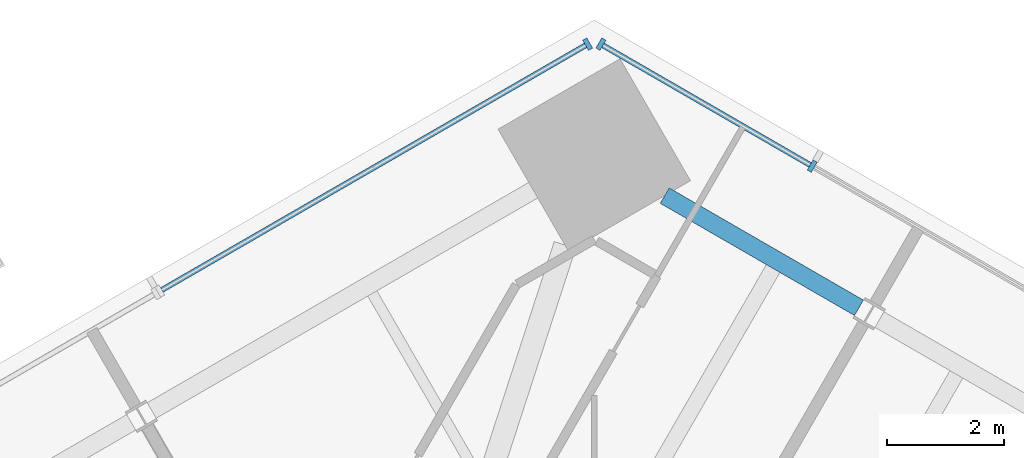
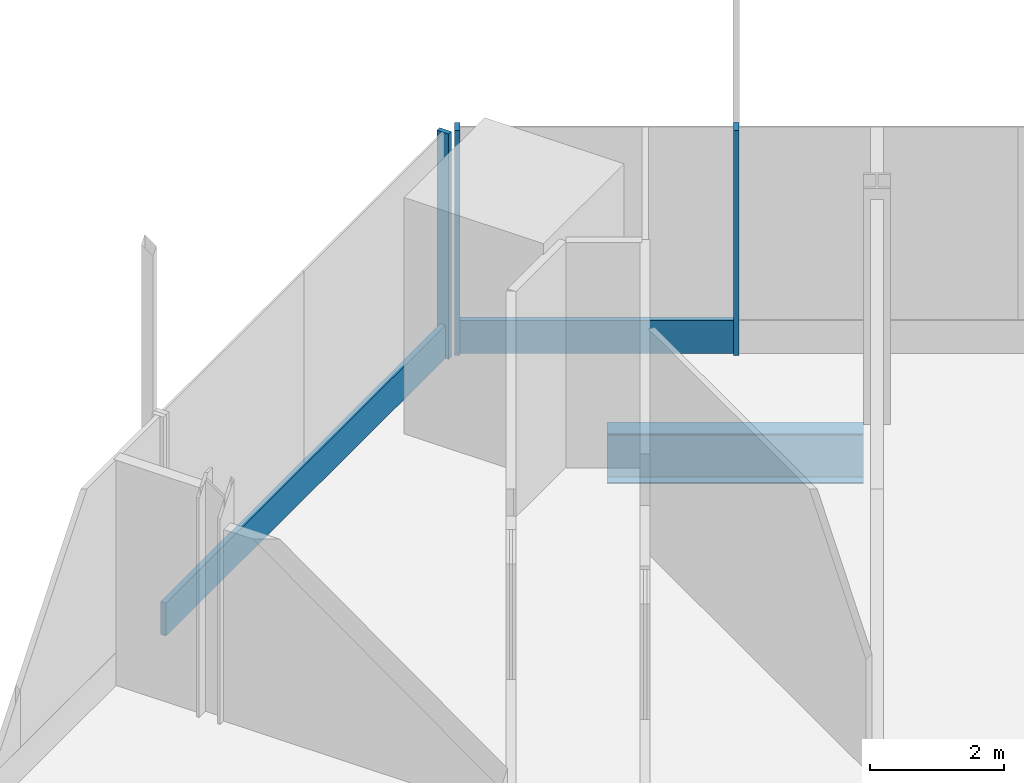
# One storey, part 8 of 19: 5 members, 1 beam, 2 elements without a shape of their own.
"""IFC4 building model written with IfcOpenShell, lengths in metres."""

import ifcopenshell
import ifcopenshell.guid

model = None  # the IFC model being written
_history = None  # IfcOwnerHistory: only IFC2X3 demands one
_inside = {}  # id of a spatial element -> (the spatial element, [elements in it])
_under = {}  # id of a project, library or spatial element -> (it, [spatial elements below it])
_declared = {}  # id of a project -> (the project, [libraries it declares])
_typed = {}  # id of a type object -> (the type object, [elements of that type])
_made_of = {}  # id of a material, layer set ... -> (it, [elements and type objects made of it])


def new_model(schema):
    """Start an empty IFC model of exactly this schema.

    Asked for "IFC4X3", IfcOpenShell would pick the latest addendum, in which some entities
    have other attributes; the version numbers below select the first issue.
    IFC2X3 requires an IfcOwnerHistory on every rooted entity: one is made here for all.
    """
    global model, _history
    if schema == "IFC4X3":
        model = ifcopenshell.file(schema_version=(4, 3, 0, 0))
    else:
        model = ifcopenshell.file(schema=schema)
    _inside.clear()
    _under.clear()
    _declared.clear()
    _typed.clear()
    _made_of.clear()
    _history = None
    if model.schema == "IFC2X3":
        org = make("IfcOrganization", Name="unknown")
        user = make(
            "IfcPersonAndOrganization",
            ThePerson=make("IfcPerson", FamilyName="unknown"),
            TheOrganization=org,
        )
        app = make(
            "IfcApplication",
            ApplicationDeveloper=org,
            Version="unknown",
            ApplicationFullName="unknown",
            ApplicationIdentifier="unknown",
        )
        _history = make(
            "IfcOwnerHistory",
            OwningUser=user,
            OwningApplication=app,
            ChangeAction="ADDED",
            CreationDate=0,
        )
    return model


def make(cls, **values):
    """One entity of the class cls with the attributes given. An attribute that is None is left unset."""
    return model.create_entity(
        cls, **{name: value for name, value in values.items() if value is not None}
    )


def rooted(cls, **values):
    """An entity with a GlobalId (a new one), such as an element, a storey or a relation."""
    return make(cls, GlobalId=ifcopenshell.guid.new(), OwnerHistory=_history, **values)


def si_unit(unit_type, name, prefix=None):
    """IfcSIUnit, for example si_unit("LENGTHUNIT", "METRE", prefix="MILLI")."""
    return make("IfcSIUnit", UnitType=unit_type, Prefix=prefix, Name=name)


def assignment(units):
    """IfcUnitAssignment: the units of a project."""
    return None if units is None else make("IfcUnitAssignment", Units=units)


def point(xyz):
    """IfcCartesianPoint."""
    return None if xyz is None else make("IfcCartesianPoint", Coordinates=xyz)


def direction(xyz):
    """IfcDirection."""
    return None if xyz is None else make("IfcDirection", DirectionRatios=xyz)


def frame(location, z_axis=None, x_axis=None):
    """IfcAxis2Placement3D, a coordinate frame: its origin and axes. An axis left out is left unset."""
    return make(
        "IfcAxis2Placement3D",
        Location=point(location),
        Axis=direction(z_axis),
        RefDirection=direction(x_axis),
    )


def frame_2d(location, x_axis=None):
    """IfcAxis2Placement2D, a coordinate frame in the plane: its origin and x axis."""
    return make(
        "IfcAxis2Placement2D", Location=point(location), RefDirection=direction(x_axis)
    )


def origin():
    """The frame at (0, 0, 0) with its axes left unset."""
    return frame((0.0, 0.0, 0.0))


def origin_2d():
    """The frame at (0, 0) in the plane with its x axis left unset."""
    return frame_2d((0.0, 0.0))


def place(relative_to, where):
    """IfcLocalPlacement: puts the frame where relative to a parent placement (None: the world)."""
    return make(
        "IfcLocalPlacement", PlacementRelTo=relative_to, RelativePlacement=where
    )


def context(
    kind, dimensions, precision=None, world=None, true_north=None, identifier=None
):
    """IfcGeometricRepresentationContext, for example the 3D "Model" context."""
    return make(
        "IfcGeometricRepresentationContext",
        ContextIdentifier=identifier,
        ContextType=kind,
        CoordinateSpaceDimension=dimensions,
        Precision=precision,
        WorldCoordinateSystem=world,
        TrueNorth=true_north,
    )


def subcontext(parent, identifier, kind, view, scale=None):
    """IfcGeometricRepresentationSubContext, for example "Body" below "Model"."""
    return make(
        "IfcGeometricRepresentationSubContext",
        ContextIdentifier=identifier,
        ContextType=kind,
        ParentContext=parent,
        TargetScale=scale,
        TargetView=view,
    )


def project(units=None, contexts=None):
    """IfcProject with its units and contexts."""
    return rooted(
        "IfcProject",
        Name="project",
        RepresentationContexts=contexts,
        UnitsInContext=assignment(units),
    )


def spatial(cls, under=None, at=None, **own):
    """A site, building, storey or space (cls), placed at a placement, below another one or the project."""
    s = rooted(cls, ObjectPlacement=at, **own)
    if under is not None:
        _under.setdefault(under.id(), (under, []))[1].append(s)
    return s


def profile(cls, at=None, kind="AREA", **sizes):
    """A parametric profile (cls). Its sizes go by their IFC names, for example OverallWidth=200.0."""
    return make(cls, ProfileType=kind, Position=at, **sizes)


def rectangle(**sizes):
    """IfcRectangleProfileDef."""
    return profile("IfcRectangleProfileDef", **sizes)


def i_section(**sizes):
    """IfcIShapeProfileDef."""
    return profile("IfcIShapeProfileDef", **sizes)


def extrude(swept, where, along, depth):
    """IfcExtrudedAreaSolid: the profile swept, set in the frame where, extruded along a direction by depth."""
    return make(
        "IfcExtrudedAreaSolid",
        SweptArea=swept,
        Position=where,
        ExtrudedDirection=direction(along),
        Depth=depth,
    )


def shape(context_of_items, identifier, shape_type, items):
    """IfcShapeRepresentation: the items that make up one representation, for example the "Body"."""
    return make(
        "IfcShapeRepresentation",
        ContextOfItems=context_of_items,
        RepresentationIdentifier=identifier,
        RepresentationType=shape_type,
        Items=items,
    )


def source(mapping_origin, context_of_items, identifier, shape_type, items):
    """IfcRepresentationMap: a shape defined once, which mapped items show again and again."""
    return make(
        "IfcRepresentationMap",
        MappingOrigin=mapping_origin,
        MappedRepresentation=shape(context_of_items, identifier, shape_type, items),
    )


def transform(
    local_origin,
    x_axis=None,
    y_axis=None,
    z_axis=None,
    scale=None,
    scale2=None,
    scale3=None,
    uniform=True,
):
    """IfcCartesianTransformationOperator3D, or its non-uniform kind. x_axis, y_axis, z_axis: its Axis1, 2, 3."""
    if uniform:
        return make(
            "IfcCartesianTransformationOperator3D",
            Axis1=direction(x_axis),
            Axis2=direction(y_axis),
            LocalOrigin=point(local_origin),
            Scale=scale,
            Axis3=direction(z_axis),
        )
    return make(
        "IfcCartesianTransformationOperator3DnonUniform",
        Axis1=direction(x_axis),
        Axis2=direction(y_axis),
        LocalOrigin=point(local_origin),
        Scale=scale,
        Axis3=direction(z_axis),
        Scale2=scale2,
        Scale3=scale3,
    )


def mapped(mapping_source, mapping_target):
    """IfcMappedItem: shows the shape of a source again, moved by a transform."""
    return make(
        "IfcMappedItem", MappingSource=mapping_source, MappingTarget=mapping_target
    )


def material(Name=None, Category=None):
    """IfcMaterial."""
    return make("IfcMaterial", Name=Name, Category=Category)


def material_profile(
    of_material, cross_section, Name=None, Category=None, Priority=None
):
    """IfcMaterialProfile: a cross section and its material."""
    return make(
        "IfcMaterialProfile",
        Name=Name,
        Material=of_material,
        Profile=cross_section,
        Priority=Priority,
        Category=Category,
    )


def profile_set(profiles, Name=None, composite=None):
    """IfcMaterialProfileSet."""
    return make(
        "IfcMaterialProfileSet",
        Name=Name,
        MaterialProfiles=profiles,
        CompositeProfile=composite,
    )


def made_of(thing, what):
    """Note that an element or type object is made of a material, layer set ...; save() writes the relation."""
    if what is not None:
        _made_of.setdefault(what.id(), (what, []))[1].append(thing)
    return thing


def type_object(cls, material=None, **own):
    """A type object (cls), such as IfcWallType, which elements share."""
    return made_of(rooted(cls, **own), material)


def element(
    cls,
    number,
    at=None,
    inside=None,
    cuts=None,
    type_object=None,
    material=None,
    context=None,
    identifier="Body",
    shape_type=None,
    held_by="IfcProductDefinitionShape",
    body=None,
    shapes=None,
    **own,
):
    """One element of the class cls, such as IfcWall. Its Tag is "e" and its number.

    at: its placement. inside: the storey or other place that contains it. cuts: it is an
    opening in that element (IfcRelVoidsElement). A single representation is given by context,
    identifier, shape_type and body (its items); several are given by shapes. held_by: the class
    of the entity that holds the representations. save() writes the other relations.
    """
    e = rooted(cls, Tag="e%d" % number, ObjectPlacement=at, **own)
    if body is not None:
        shapes = [shape(context, identifier, shape_type, body)]
    if shapes is not None:
        e.Representation = make(held_by, Representations=shapes)
    if inside is not None:
        _inside.setdefault(inside.id(), (inside, []))[1].append(e)
    if cuts is not None:
        rooted(
            "IfcRelVoidsElement", RelatingBuildingElement=cuts, RelatedOpeningElement=e
        )
    if type_object is not None:
        _typed.setdefault(type_object.id(), (type_object, []))[1].append(e)
    return made_of(e, material)


def aggregate(whole, parts):
    """IfcRelAggregates: a whole, such as a stair, and the parts it consists of."""
    return rooted("IfcRelAggregates", RelatingObject=whole, RelatedObjects=parts)


def save(model, path):
    """Write the relations noted so far, then the file.

    IfcRelAggregates (storeys below a building ...), IfcRelContainedInSpatialStructure (elements
    in a storey), IfcRelDefinesByType, IfcRelAssociatesMaterial and IfcRelDeclares: one each for
    every whole, place, type object, material and project.
    """
    for whole, parts in _under.values():
        aggregate(whole, parts)
    for where, things in _inside.values():
        rooted(
            "IfcRelContainedInSpatialStructure",
            RelatedElements=things,
            RelatingStructure=where,
        )
    for kind, things in _typed.values():
        rooted("IfcRelDefinesByType", RelatedObjects=things, RelatingType=kind)
    for what, things in _made_of.values():
        rooted("IfcRelAssociatesMaterial", RelatedObjects=things, RelatingMaterial=what)
    for by, libraries in _declared.values():
        rooted("IfcRelDeclares", RelatingContext=by, RelatedDefinitions=libraries)
    model.write(path)


model = new_model("IFC4")

# Units and contexts
model_context = context("Model", 3, precision=1e-05, world=origin(), true_north=direction((0.0, 1.0)))
body_context = subcontext(model_context, "Body", "Model", "MODEL_VIEW")
ifc_project = project(units=[si_unit("LENGTHUNIT", "METRE"), si_unit("AREAUNIT", "SQUARE_METRE"), si_unit("VOLUMEUNIT", "CUBIC_METRE"), si_unit("PLANEANGLEUNIT", "RADIAN"), si_unit("MASSUNIT", "GRAM", prefix="KILO")], contexts=[model_context])

# Site, building, storey
site_placement = place(None, origin())
site = spatial("IfcSite", under=ifc_project, at=site_placement, CompositionType="ELEMENT")
building_placement = place(site_placement, origin())
building = spatial("IfcBuilding", under=site, at=building_placement, Name="Triune Harvest Tower", CompositionType="ELEMENT")
storey_placement = place(building_placement, frame((0.0, 0.0, 41.800048828125)))
storey = spatial("IfcBuildingStorey", under=building, at=storey_placement, Name="L09", CompositionType="ELEMENT", Elevation=41.800048828125)

# Beam
ifc_material_1 = material(Name="Steel ASTM A992 Gr 50", Category="steel")
ifc_material_profile_1 = material_profile(ifc_material_1, i_section(OverallWidth=0.3046875, OverallDepth=0.914306640625, WebThickness=0.0166015625, FlangeThickness=0.02587890625, at=origin_2d()), Name="W36x160")
ifc_profile_set_1 = profile_set([ifc_material_profile_1], Name="Steel ASTM A992 Gr 50")
beam_type = type_object("IfcBeamType", Name="SB-1 Spandrel beam W36x160", PredefinedType="SPANDREL", material=ifc_profile_set_1)
shared_shape_1 = source(origin(), body_context, "Body", "SweptSolid", [
    extrude(i_section(OverallWidth=0.3046875, OverallDepth=0.914306640625, WebThickness=0.0166015625, FlangeThickness=0.02587890625, at=origin_2d()), origin(), (0.0, 0.0, 1.0), 3.822509765625),
])
beam_placement = place(storey_placement, frame((16.8193359375, 29.535888671875, -0.6572265625), z_axis=(-0.866005830769, 0.500033899925, 0.0), x_axis=(-0.500033899925, -0.866005830769, 0.0)))
element("IfcBeam", 1, at=beam_placement, inside=storey, type_object=beam_type, Name="beam/L09/SB8", PredefinedType="SPANDREL", context=body_context, shape_type="MappedRepresentation", body=[
    mapped(shared_shape_1, transform((0.0, 0.0, 0.0), scale=1.0)),
])

# Curtain wall, members
ifc_material_2 = material(Name="Aluminium bronze anodised", Category="aluminium")
curtain_wall_type = type_object("IfcCurtainWallType", Name="CW-3 Farm floor curtain wall", PredefinedType="NOTDEFINED", material=ifc_material_2)
curtain_wall_1_placement = place(storey_placement, origin())
curtain_wall_1 = element("IfcCurtainWall", 2, at=curtain_wall_1_placement, inside=storey, type_object=curtain_wall_type, Name="CW-3 B1-F2 L09 run 1")
ifc_material_3 = material(Name="Aluminium bronze anodised", Category="aluminium")
ifc_material_profile_2 = material_profile(ifc_material_3, rectangle(XDim=0.090087890625, YDim=0.60009765625, at=origin_2d()), Name="TR-3 transom 90 x 600")
ifc_profile_set_2 = profile_set([ifc_material_profile_2], Name="Aluminium bronze anodised")
member_type_1 = type_object("IfcMemberType", Name="TR-3 transom 90 x 600", PredefinedType="USERDEFINED", material=ifc_profile_set_2)
shared_shape_2 = source(origin(), body_context, "Body", "SweptSolid", [
    extrude(rectangle(XDim=0.090087890625, YDim=0.60009765625, at=origin_2d()), origin(), (0.0, 0.0, 1.0), 4.077880859375),
])
member_1_placement = place(storey_placement, frame((15.98779296875, 31.9697265625, 0.300048828125), z_axis=(-0.866035038465, 0.499983311872, 0.0), x_axis=(-0.499983311872, -0.866035038465, 0.0)))
member_1 = element("IfcMember", 3, at=member_1_placement, type_object=member_type_1, Name="CW-3 transom B1-F2 1.2", ObjectType="TRANSOM", PredefinedType="USERDEFINED", context=body_context, shape_type="MappedRepresentation", body=[
    mapped(shared_shape_2, transform((0.0, 0.0, 0.0), scale=1.0)),
])
ifc_material_4 = material(Name="Aluminium bronze anodised", Category="aluminium")
ifc_material_profile_3 = material_profile(ifc_material_4, rectangle(XDim=0.199951171875, YDim=0.080078125, at=origin_2d()), Name="MU-3 mullion 80 x 200")
ifc_profile_set_3 = profile_set([ifc_material_profile_3], Name="Aluminium bronze anodised")
member_type_2 = type_object("IfcMemberType", Name="MU-3 mullion 80 x 200", PredefinedType="MULLION", material=ifc_profile_set_3)
shared_shape_3 = source(origin(), body_context, "Body", "SweptSolid", [
    extrude(rectangle(XDim=0.199951171875, YDim=0.080078125, at=origin_2d()), origin(), (0.0, 0.0, 1.0), 4.099853515625),
])
member_2_placement = place(storey_placement, frame((16.0224609375, 31.94970703125, 0.0), z_axis=(0.0, 0.0, 1.0), x_axis=(-0.499998715149, -0.866026145592, 0.0)))
member_2 = element("IfcMember", 4, at=member_2_placement, type_object=member_type_2, Name="CW-3 mullion B1-F2 1.3", PredefinedType="MULLION", context=body_context, shape_type="MappedRepresentation", body=[
    mapped(shared_shape_3, transform((0.0, 0.0, 0.0), scale=1.0)),
])
member_3_placement = place(storey_placement, frame((12.421630859375, 34.028564453125, 0.0), z_axis=(0.0, 0.0, 1.0), x_axis=(-0.499998715149, -0.866026145592, 0.0)))
member_3 = element("IfcMember", 5, at=member_3_placement, type_object=member_type_2, Name="CW-3 mullion B1-F2 1.4", PredefinedType="MULLION", context=body_context, shape_type="MappedRepresentation", body=[
    mapped(shared_shape_3, transform((0.0, 0.0, 0.0), scale=1.0)),
])
aggregate(curtain_wall_1, [member_2, member_3, member_1])

curtain_wall_2_placement = place(storey_placement, origin())
curtain_wall_2 = element("IfcCurtainWall", 6, at=curtain_wall_2_placement, inside=storey, type_object=curtain_wall_type, Name="CW-3 B1-F3 L09 run 1")
member_4_placement = place(storey_placement, frame((12.196533203125, 34.028564453125, 0.0), z_axis=(0.0, 0.0, 1.0), x_axis=(0.499995239328, -0.866028152342, 0.0)))
member_4 = element("IfcMember", 7, at=member_4_placement, type_object=member_type_2, Name="CW-3 mullion B1-F3 1.1", PredefinedType="MULLION", context=body_context, shape_type="MappedRepresentation", body=[
    mapped(shared_shape_3, transform((0.0, 0.0, 0.0), scale=1.0)),
])
shared_shape_4 = source(origin(), body_context, "Body", "SweptSolid", [
    extrude(rectangle(XDim=0.090087890625, YDim=0.60009765625, at=origin_2d()), origin(), (0.0, 0.0, 1.0), 8.33740234375),
])
member_5_placement = place(storey_placement, frame((12.161865234375, 34.008544921875, 0.300048828125), z_axis=(-0.866027105532, -0.499997052475, 0.0), x_axis=(0.499997052475, -0.866027105532, 0.0)))
member_5 = element("IfcMember", 8, at=member_5_placement, type_object=member_type_1, Name="CW-3 transom B1-F3 1.1", ObjectType="TRANSOM", PredefinedType="USERDEFINED", context=body_context, shape_type="MappedRepresentation", body=[
    mapped(shared_shape_4, transform((0.0, 0.0, 0.0), scale=1.0)),
])
aggregate(curtain_wall_2, [member_4, member_5])

save(model, "model.ifc")
